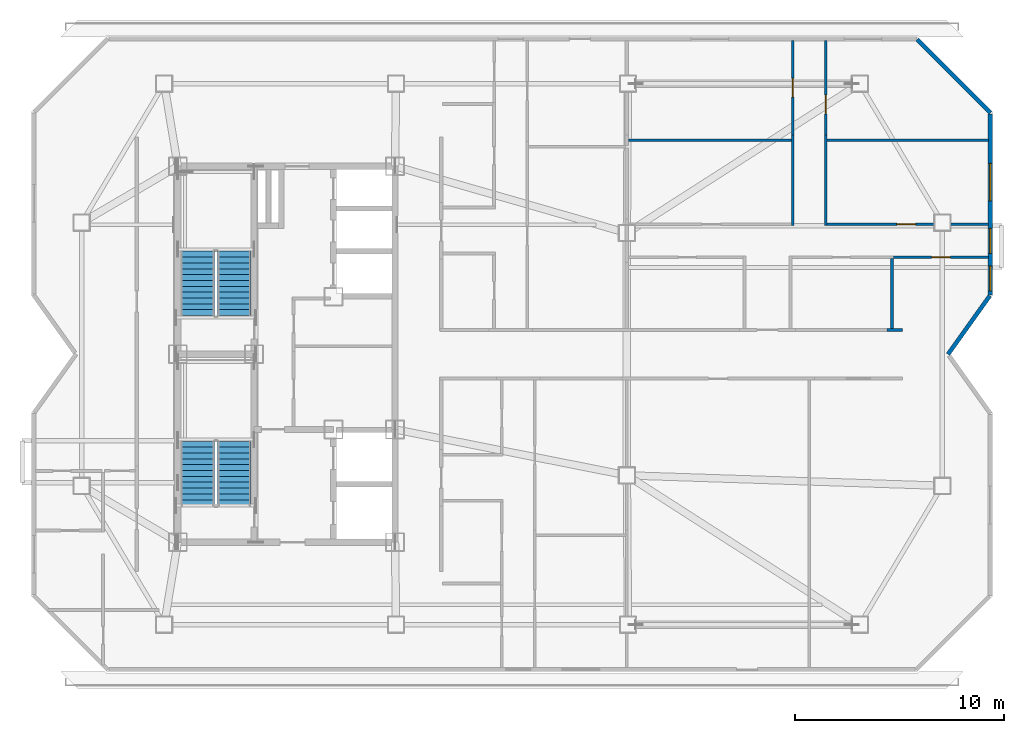
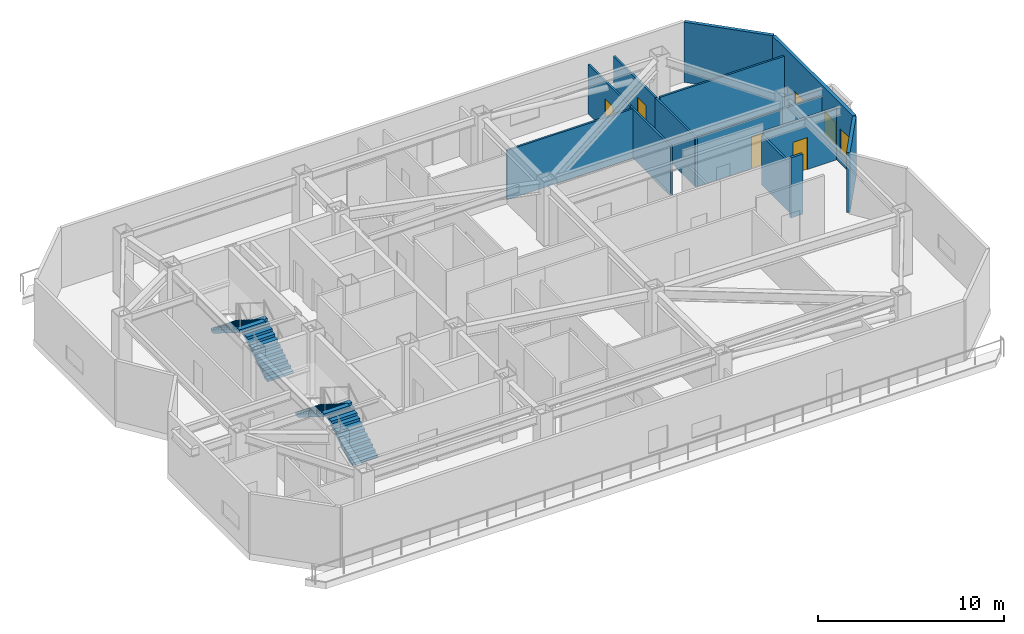
# One storey, part 7 of 11: 13 walls, 4 doors, 4 stair flights, 3 windows, 7 openings, 2 elements without a shape of their own.
"""IFC4 building model written with IfcOpenShell, lengths in metres."""

import ifcopenshell
import ifcopenshell.guid

model = None  # the IFC model being written
_history = None  # IfcOwnerHistory: only IFC2X3 demands one
_inside = {}  # id of a spatial element -> (the spatial element, [elements in it])
_under = {}  # id of a project, library or spatial element -> (it, [spatial elements below it])
_declared = {}  # id of a project -> (the project, [libraries it declares])
_typed = {}  # id of a type object -> (the type object, [elements of that type])
_made_of = {}  # id of a material, layer set ... -> (it, [elements and type objects made of it])


def new_model(schema):
    """Start an empty IFC model of exactly this schema.

    Asked for "IFC4X3", IfcOpenShell would pick the latest addendum, in which some entities
    have other attributes; the version numbers below select the first issue.
    IFC2X3 requires an IfcOwnerHistory on every rooted entity: one is made here for all.
    """
    global model, _history
    if schema == "IFC4X3":
        model = ifcopenshell.file(schema_version=(4, 3, 0, 0))
    else:
        model = ifcopenshell.file(schema=schema)
    _inside.clear()
    _under.clear()
    _declared.clear()
    _typed.clear()
    _made_of.clear()
    _history = None
    if model.schema == "IFC2X3":
        org = make("IfcOrganization", Name="unknown")
        user = make(
            "IfcPersonAndOrganization",
            ThePerson=make("IfcPerson", FamilyName="unknown"),
            TheOrganization=org,
        )
        app = make(
            "IfcApplication",
            ApplicationDeveloper=org,
            Version="unknown",
            ApplicationFullName="unknown",
            ApplicationIdentifier="unknown",
        )
        _history = make(
            "IfcOwnerHistory",
            OwningUser=user,
            OwningApplication=app,
            ChangeAction="ADDED",
            CreationDate=0,
        )
    return model


def make(cls, **values):
    """One entity of the class cls with the attributes given. An attribute that is None is left unset."""
    return model.create_entity(
        cls, **{name: value for name, value in values.items() if value is not None}
    )


def rooted(cls, **values):
    """An entity with a GlobalId (a new one), such as an element, a storey or a relation."""
    return make(cls, GlobalId=ifcopenshell.guid.new(), OwnerHistory=_history, **values)


def si_unit(unit_type, name, prefix=None):
    """IfcSIUnit, for example si_unit("LENGTHUNIT", "METRE", prefix="MILLI")."""
    return make("IfcSIUnit", UnitType=unit_type, Prefix=prefix, Name=name)


def assignment(units):
    """IfcUnitAssignment: the units of a project."""
    return None if units is None else make("IfcUnitAssignment", Units=units)


def point(xyz):
    """IfcCartesianPoint."""
    return None if xyz is None else make("IfcCartesianPoint", Coordinates=xyz)


def direction(xyz):
    """IfcDirection."""
    return None if xyz is None else make("IfcDirection", DirectionRatios=xyz)


def frame(location, z_axis=None, x_axis=None):
    """IfcAxis2Placement3D, a coordinate frame: its origin and axes. An axis left out is left unset."""
    return make(
        "IfcAxis2Placement3D",
        Location=point(location),
        Axis=direction(z_axis),
        RefDirection=direction(x_axis),
    )


def frame_2d(location, x_axis=None):
    """IfcAxis2Placement2D, a coordinate frame in the plane: its origin and x axis."""
    return make(
        "IfcAxis2Placement2D", Location=point(location), RefDirection=direction(x_axis)
    )


def origin():
    """The frame at (0, 0, 0) with its axes left unset."""
    return frame((0.0, 0.0, 0.0))


def place(relative_to, where):
    """IfcLocalPlacement: puts the frame where relative to a parent placement (None: the world)."""
    return make(
        "IfcLocalPlacement", PlacementRelTo=relative_to, RelativePlacement=where
    )


def context(
    kind, dimensions, precision=None, world=None, true_north=None, identifier=None
):
    """IfcGeometricRepresentationContext, for example the 3D "Model" context."""
    return make(
        "IfcGeometricRepresentationContext",
        ContextIdentifier=identifier,
        ContextType=kind,
        CoordinateSpaceDimension=dimensions,
        Precision=precision,
        WorldCoordinateSystem=world,
        TrueNorth=true_north,
    )


def subcontext(parent, identifier, kind, view, scale=None):
    """IfcGeometricRepresentationSubContext, for example "Body" below "Model"."""
    return make(
        "IfcGeometricRepresentationSubContext",
        ContextIdentifier=identifier,
        ContextType=kind,
        ParentContext=parent,
        TargetScale=scale,
        TargetView=view,
    )


def project(units=None, contexts=None):
    """IfcProject with its units and contexts."""
    return rooted(
        "IfcProject",
        Name="project",
        RepresentationContexts=contexts,
        UnitsInContext=assignment(units),
    )


def spatial(cls, under=None, at=None, **own):
    """A site, building, storey or space (cls), placed at a placement, below another one or the project."""
    s = rooted(cls, ObjectPlacement=at, **own)
    if under is not None:
        _under.setdefault(under.id(), (under, []))[1].append(s)
    return s


def polyline(points):
    """IfcPolyline through the points."""
    return make("IfcPolyline", Points=[point(p) for p in points])


def profile(cls, at=None, kind="AREA", **sizes):
    """A parametric profile (cls). Its sizes go by their IFC names, for example OverallWidth=200.0."""
    return make(cls, ProfileType=kind, Position=at, **sizes)


def rectangle(**sizes):
    """IfcRectangleProfileDef."""
    return profile("IfcRectangleProfileDef", **sizes)


def outline(outer, holes=None, kind="AREA"):
    """IfcArbitraryClosedProfileDef: a profile drawn as a closed curve; with holes, ...WithVoids."""
    if holes is None:
        return make("IfcArbitraryClosedProfileDef", ProfileType=kind, OuterCurve=outer)
    return make(
        "IfcArbitraryProfileDefWithVoids",
        ProfileType=kind,
        OuterCurve=outer,
        InnerCurves=holes,
    )


def extrude(swept, where, along, depth):
    """IfcExtrudedAreaSolid: the profile swept, set in the frame where, extruded along a direction by depth."""
    return make(
        "IfcExtrudedAreaSolid",
        SweptArea=swept,
        Position=where,
        ExtrudedDirection=direction(along),
        Depth=depth,
    )


def shape(context_of_items, identifier, shape_type, items):
    """IfcShapeRepresentation: the items that make up one representation, for example the "Body"."""
    return make(
        "IfcShapeRepresentation",
        ContextOfItems=context_of_items,
        RepresentationIdentifier=identifier,
        RepresentationType=shape_type,
        Items=items,
    )


def material(Name=None, Category=None):
    """IfcMaterial."""
    return make("IfcMaterial", Name=Name, Category=Category)


def layer(
    of_material, thickness, ventilated=None, Name=None, Category=None, Priority=None
):
    """IfcMaterialLayer: one layer of a wall or slab, of a material (None: an air gap)."""
    return make(
        "IfcMaterialLayer",
        Material=of_material,
        LayerThickness=thickness,
        IsVentilated=ventilated,
        Name=Name,
        Category=Category,
        Priority=Priority,
    )


def layer_set(layers, Name=None):
    """IfcMaterialLayerSet."""
    return make("IfcMaterialLayerSet", MaterialLayers=layers, LayerSetName=Name)


def made_of(thing, what):
    """Note that an element or type object is made of a material, layer set ...; save() writes the relation."""
    if what is not None:
        _made_of.setdefault(what.id(), (what, []))[1].append(thing)
    return thing


def type_object(cls, material=None, **own):
    """A type object (cls), such as IfcWallType, which elements share."""
    return made_of(rooted(cls, **own), material)


def element(
    cls,
    number,
    at=None,
    inside=None,
    cuts=None,
    type_object=None,
    material=None,
    context=None,
    identifier="Body",
    shape_type=None,
    held_by="IfcProductDefinitionShape",
    body=None,
    shapes=None,
    **own,
):
    """One element of the class cls, such as IfcWall. Its Tag is "e" and its number.

    at: its placement. inside: the storey or other place that contains it. cuts: it is an
    opening in that element (IfcRelVoidsElement). A single representation is given by context,
    identifier, shape_type and body (its items); several are given by shapes. held_by: the class
    of the entity that holds the representations. save() writes the other relations.
    """
    e = rooted(cls, Tag="e%d" % number, ObjectPlacement=at, **own)
    if body is not None:
        shapes = [shape(context, identifier, shape_type, body)]
    if shapes is not None:
        e.Representation = make(held_by, Representations=shapes)
    if inside is not None:
        _inside.setdefault(inside.id(), (inside, []))[1].append(e)
    if cuts is not None:
        rooted(
            "IfcRelVoidsElement", RelatingBuildingElement=cuts, RelatedOpeningElement=e
        )
    if type_object is not None:
        _typed.setdefault(type_object.id(), (type_object, []))[1].append(e)
    return made_of(e, material)


def fill(opening, filler):
    """IfcRelFillsElement: the door or window that sits in an opening."""
    return rooted(
        "IfcRelFillsElement",
        RelatingOpeningElement=opening,
        RelatedBuildingElement=filler,
    )


def aggregate(whole, parts):
    """IfcRelAggregates: a whole, such as a stair, and the parts it consists of."""
    return rooted("IfcRelAggregates", RelatingObject=whole, RelatedObjects=parts)


def save(model, path):
    """Write the relations noted so far, then the file.

    IfcRelAggregates (storeys below a building ...), IfcRelContainedInSpatialStructure (elements
    in a storey), IfcRelDefinesByType, IfcRelAssociatesMaterial and IfcRelDeclares: one each for
    every whole, place, type object, material and project.
    """
    for whole, parts in _under.values():
        aggregate(whole, parts)
    for where, things in _inside.values():
        rooted(
            "IfcRelContainedInSpatialStructure",
            RelatedElements=things,
            RelatingStructure=where,
        )
    for kind, things in _typed.values():
        rooted("IfcRelDefinesByType", RelatedObjects=things, RelatingType=kind)
    for what, things in _made_of.values():
        rooted("IfcRelAssociatesMaterial", RelatedObjects=things, RelatingMaterial=what)
    for by, libraries in _declared.values():
        rooted("IfcRelDeclares", RelatingContext=by, RelatedDefinitions=libraries)
    model.write(path)


model = new_model("IFC4")

# Units and contexts
model_context = context("Model", 3, precision=1e-05, world=origin(), true_north=direction((0.0, 1.0)))
body_context = subcontext(model_context, "Body", "Model", "MODEL_VIEW")
ifc_project = project(units=[si_unit("LENGTHUNIT", "METRE"), si_unit("AREAUNIT", "SQUARE_METRE"), si_unit("VOLUMEUNIT", "CUBIC_METRE"), si_unit("PLANEANGLEUNIT", "RADIAN"), si_unit("MASSUNIT", "GRAM", prefix="KILO")], contexts=[model_context])

# Site, building, storey
site_placement = place(None, origin())
site = spatial("IfcSite", under=ifc_project, at=site_placement, CompositionType="ELEMENT")
building_placement = place(site_placement, origin())
building = spatial("IfcBuilding", under=site, at=building_placement, Name="Khamvora Tower", CompositionType="ELEMENT")
storey_placement = place(building_placement, frame((0.0, 0.0, 269.449951171875)))
storey = spatial("IfcBuildingStorey", under=building, at=storey_placement, Name="L69", CompositionType="ELEMENT", Elevation=269.449951171875)

# Walls
ifc_material_1 = material(Name="Fire-Rated Drywall and Steel Stud", Category="steel")
ifc_layer_1 = layer(ifc_material_1, 0.14990234375)
ifc_layer_set_1 = layer_set([ifc_layer_1], Name="Fire-Rated Drywall and Steel Stud")
wall_type_1 = type_object("IfcWallType", Name="WAL-CORR-150", PredefinedType="STANDARD", material=ifc_layer_set_1)
wall_1_placement = place(storey_placement, frame((62.947021484375, 29.1650390625, 0.0), z_axis=(0.0, 0.0, 1.0), x_axis=(1.0, 0.0, 0.0)))
element("IfcWall", 1, at=wall_1_placement, inside=storey, type_object=wall_type_1, Name="L69 interior partition wall 021", PredefinedType="STANDARD", context=body_context, shape_type="SweptSolid", body=[
    extrude(rectangle(XDim=0.742919921875, YDim=0.14990234375, at=frame_2d((0.37158203125, 0.0))), origin(), (0.0, 0.0, 1.0), 3.949951171875),
])
ifc_material_2 = material(Name="Precast concrete C40/50", Category="concrete")
ifc_layer_2 = layer(ifc_material_2, 0.199951171875)
ifc_layer_set_2 = layer_set([ifc_layer_2], Name="Precast concrete C40/50")
wall_type_2 = type_object("IfcWallType", Name="WAL-EXT-200", PredefinedType="STANDARD", material=ifc_layer_set_2)
wall_2_placement = place(storey_placement, frame((64.402099609375, 43.056884765625, 0.0), z_axis=(0.0, 0.0, 1.0), x_axis=(0.707106781187, -0.707106781187, 0.0)))
element("IfcWall", 2, at=wall_2_placement, inside=storey, type_object=wall_type_2, Name="L69 exterior facade wall 08.1", PredefinedType="STANDARD", context=body_context, shape_type="SweptSolid", body=[
    extrude(rectangle(XDim=4.946533203125, YDim=0.199951171875, at=frame_2d((2.47314453125, 0.0))), origin(), (0.0, 0.0, 1.0), 3.949951171875),
])

# Wall, openings, windows
wall_3_placement = place(storey_placement, frame((67.89990234375, 39.4970703125, 0.0), z_axis=(0.0, 0.0, 1.0), x_axis=(0.0, -1.0, 0.0)))
wall_3 = element("IfcWall", 3, at=wall_3_placement, inside=storey, type_object=wall_type_2, Name="L69 exterior facade wall 09.1", PredefinedType="STANDARD", context=body_context, shape_type="SweptSolid", body=[
    extrude(rectangle(XDim=8.6650390625, YDim=0.199951171875, at=frame_2d((4.33251953125, 0.0))), origin(), (0.0, 0.0, 1.0), 3.949951171875),
])
opening_1_placement = place(wall_3_placement, frame((7.26904296875, 0.0, 0.780029296875)))
opening_1 = element("IfcOpeningElement", 4, at=opening_1_placement, cuts=wall_3, Name="Opening WN-03", PredefinedType="OPENING", context=body_context, shape_type="SweptSolid", body=[
    extrude(rectangle(XDim=1.199951171875, YDim=1.5, at=frame_2d((0.60009765625, 0.75))), frame((0.0, 0.10986328125, 0.0), z_axis=(0.0, -1.0, 0.0), x_axis=(1.0, 0.0, 0.0)), (0.0, 0.0, 1.0), 0.219970703125),
])
opening_2_placement = place(wall_3_placement, frame((5.467041015625, 0.0, 0.780029296875)))
opening_2 = element("IfcOpeningElement", 5, at=opening_2_placement, cuts=wall_3, Name="Opening WN-03", PredefinedType="OPENING", context=body_context, shape_type="SweptSolid", body=[
    extrude(rectangle(XDim=1.199951171875, YDim=1.5, at=frame_2d((0.60009765625, 0.75))), frame((0.0, 0.10986328125, 0.0), z_axis=(0.0, -1.0, 0.0), x_axis=(1.0, 0.0, 0.0)), (0.0, 0.0, 1.0), 0.219970703125),
])
opening_3_placement = place(wall_3_placement, frame((2.362060546875, 0.0, 0.85009765625)))
opening_3 = element("IfcOpeningElement", 6, at=opening_3_placement, cuts=wall_3, Name="Opening WN-09", PredefinedType="OPENING", context=body_context, shape_type="SweptSolid", body=[
    extrude(rectangle(XDim=1.800048828125, YDim=0.919921875, at=frame_2d((0.89990234375, 0.4599609375))), frame((0.0, 0.10986328125, 0.0), z_axis=(0.0, -1.0, 0.0), x_axis=(1.0, 0.0, 0.0)), (0.0, 0.0, 1.0), 0.219970703125),
])
ifc_material_3 = material(Name="Low-E Laminated Double Glazing", Category="glass")
window_type_1 = type_object("IfcWindowType", Name="WIN-CLR-1800x920", PartitioningType="SINGLE_PANEL", PredefinedType="WINDOW", material=ifc_material_3)
window_1_placement = place(opening_3_placement, origin())
window_1 = element("IfcWindow", 7, at=window_1_placement, inside=storey, type_object=window_type_1, Name="L69 vision window 09.1.03", OverallHeight=0.919921875, OverallWidth=1.800048828125, PartitioningType="SINGLE_PANEL", PredefinedType="WINDOW", context=body_context, shape_type="SweptSolid", body=[
    extrude(rectangle(XDim=1.800048828125, YDim=0.919921875, at=frame_2d((0.89990234375, 0.4599609375))), frame((0.0, 0.030029296875, 0.0), z_axis=(0.0, -1.0, 0.0), x_axis=(1.0, 0.0, 0.0)), (0.0, 0.0, 1.0), 0.06005859375),
])
fill(opening_3, window_1)
window_type_2 = type_object("IfcWindowType", Name="WIN-VIS-1200x1500", PartitioningType="SINGLE_PANEL", PredefinedType="WINDOW", material=ifc_material_3)
window_2_placement = place(opening_1_placement, origin())
window_2 = element("IfcWindow", 8, at=window_2_placement, inside=storey, type_object=window_type_2, Name="L69 vision window 09.1.01", OverallHeight=1.5, OverallWidth=1.199951171875, PartitioningType="SINGLE_PANEL", PredefinedType="WINDOW", context=body_context, shape_type="SweptSolid", body=[
    extrude(rectangle(XDim=1.199951171875, YDim=1.5, at=frame_2d((0.60009765625, 0.75))), frame((0.0, 0.030029296875, 0.0), z_axis=(0.0, -1.0, 0.0), x_axis=(1.0, 0.0, 0.0)), (0.0, 0.0, 1.0), 0.06005859375),
])
fill(opening_1, window_2)
window_3_placement = place(opening_2_placement, origin())
window_3 = element("IfcWindow", 9, at=window_3_placement, inside=storey, type_object=window_type_2, Name="L69 vision window 09.1.02", OverallHeight=1.5, OverallWidth=1.199951171875, PartitioningType="SINGLE_PANEL", PredefinedType="WINDOW", context=body_context, shape_type="SweptSolid", body=[
    extrude(rectangle(XDim=1.199951171875, YDim=1.5, at=frame_2d((0.60009765625, 0.75))), frame((0.0, 0.030029296875, 0.0), z_axis=(0.0, -1.0, 0.0), x_axis=(1.0, 0.0, 0.0)), (0.0, 0.0, 1.0), 0.06005859375),
])
fill(opening_2, window_3)

# Wall
wall_4_placement = place(storey_placement, frame((67.8720703125, 30.79296875, 0.0), z_axis=(0.0, 0.0, 1.0), x_axis=(-0.581265107027, -0.813714246743, 0.0)))
element("IfcWall", 10, at=wall_4_placement, inside=storey, type_object=wall_type_2, Name="L69 exterior facade wall 10.1", PredefinedType="STANDARD", context=body_context, shape_type="SweptSolid", body=[
    extrude(rectangle(XDim=3.432373046875, YDim=0.199951171875, at=frame_2d((1.71630859375, 0.0))), origin(), (0.0, 0.0, 1.0), 3.949951171875),
])

# Wall, opening, door
ifc_material_4 = material(Name="Gypsum Plasterboard Partition", Category="gypsum")
ifc_layer_3 = layer(ifc_material_4, 0.1201171875)
ifc_layer_set_3 = layer_set([ifc_layer_3], Name="Gypsum Plasterboard Partition")
wall_type_3 = type_object("IfcWallType", Name="WAL-PART-120", PredefinedType="PARTITIONING", material=ifc_layer_set_3)
wall_5_placement = place(storey_placement, frame((63.260986328125, 32.639892578125, 0.0), z_axis=(0.0, 0.0, 1.0), x_axis=(1.0, 0.0, 0.0)))
wall_5 = element("IfcWall", 11, at=wall_5_placement, inside=storey, type_object=wall_type_3, Name="L69 interior partition wall 057", PredefinedType="PARTITIONING", context=body_context, shape_type="SweptSolid", body=[
    extrude(rectangle(XDim=4.547119140625, YDim=0.1201171875, at=frame_2d((2.2734375, 0.0))), origin(), (0.0, 0.0, 1.0), 3.406982421875),
])
opening_4_placement = place(wall_5_placement, frame((1.822998046875, 0.0, 0.0)))
opening_4 = element("IfcOpeningElement", 12, at=opening_4_placement, cuts=wall_5, Name="Opening D-RM1", PredefinedType="OPENING", context=body_context, shape_type="SweptSolid", body=[
    extrude(rectangle(XDim=0.89990234375, YDim=2.10009765625, at=frame_2d((0.449951171875, 1.050048828125))), frame((0.0, 0.070068359375, 0.0), z_axis=(0.0, -1.0, 0.0), x_axis=(1.0, 0.0, 0.0)), (0.0, 0.0, 1.0), 0.14013671875),
])
ifc_material_5 = material(Name="Powder-Coated Steel and Hardwood Leaf", Category="steel")
door_type = type_object("IfcDoorType", Name="DOR-ROOM-900", OperationType="NOTDEFINED", PredefinedType="DOOR", material=ifc_material_5)
door_1_placement = place(opening_4_placement, origin())
door_1 = element("IfcDoor", 13, at=door_1_placement, inside=storey, type_object=door_type, Name="L69 interior door 69DW2-69DH", OperationType="SINGLE_SWING_LEFT", OverallHeight=2.10009765625, OverallWidth=0.89990234375, PredefinedType="DOOR", context=body_context, shape_type="SweptSolid", body=[
    extrude(rectangle(XDim=0.89990234375, YDim=2.10009765625, at=frame_2d((0.449951171875, 1.050048828125))), frame((0.0, 0.02490234375, 0.0), z_axis=(0.0, -1.0, 0.0), x_axis=(1.0, 0.0, 0.0)), (0.0, 0.0, 1.0), 0.050048828125),
])
fill(opening_4, door_1)

# Wall
wall_6_placement = place(storey_placement, frame((58.445068359375, 34.155029296875, 0.0), z_axis=(0.0, 0.0, 1.0), x_axis=(0.0, 1.0, 0.0)))
element("IfcWall", 14, at=wall_6_placement, inside=storey, type_object=wall_type_3, Name="L69 interior partition wall 064", PredefinedType="PARTITIONING", context=body_context, shape_type="SweptSolid", body=[
    extrude(rectangle(XDim=4.344970703125, YDim=0.1201171875, at=frame_2d((2.17236328125, 0.0))), origin(), (0.0, 0.0, 1.0), 3.237060546875),
])

# Wall, opening, door
wall_7_placement = place(storey_placement, frame((58.445068359375, 38.5, 0.0), z_axis=(0.0, 0.0, 1.0), x_axis=(0.0, 1.0, 0.0)))
wall_7 = element("IfcWall", 15, at=wall_7_placement, inside=storey, type_object=wall_type_3, Name="L69 interior partition wall 065", PredefinedType="PARTITIONING", context=body_context, shape_type="SweptSolid", body=[
    extrude(rectangle(XDim=4.508056640625, YDim=0.1201171875, at=frame_2d((2.25390625, 0.0))), origin(), (0.0, 0.0, 1.0), 3.2451171875),
])
opening_5_placement = place(wall_7_placement, frame((1.803955078125, 0.0, 0.0)))
opening_5 = element("IfcOpeningElement", 16, at=opening_5_placement, cuts=wall_7, Name="Opening D-RM1", PredefinedType="OPENING", context=body_context, shape_type="SweptSolid", body=[
    extrude(rectangle(XDim=0.89990234375, YDim=2.10009765625, at=frame_2d((0.449951171875, 1.050048828125))), frame((0.0, 0.070068359375, 0.0), z_axis=(0.0, -1.0, 0.0), x_axis=(1.0, 0.0, 0.0)), (0.0, 0.0, 1.0), 0.14013671875),
])
door_2_placement = place(opening_5_placement, origin())
door_2 = element("IfcDoor", 17, at=door_2_placement, inside=storey, type_object=door_type, Name="L69 interior door 69DH-69DR2", OperationType="SINGLE_SWING_LEFT", OverallHeight=2.10009765625, OverallWidth=0.89990234375, PredefinedType="DOOR", context=body_context, shape_type="SweptSolid", body=[
    extrude(rectangle(XDim=0.89990234375, YDim=2.10009765625, at=frame_2d((0.449951171875, 1.050048828125))), frame((0.0, 0.02490234375, 0.0), z_axis=(0.0, -1.0, 0.0), x_axis=(1.0, 0.0, 0.0)), (0.0, 0.0, 1.0), 0.050048828125),
])
fill(opening_5, door_2)

# Wall
wall_8_placement = place(storey_placement, frame((60.014892578125, 38.5, 0.0), z_axis=(0.0, 0.0, 1.0), x_axis=(0.0, -1.0, 0.0)))
element("IfcWall", 18, at=wall_8_placement, inside=storey, type_object=wall_type_3, Name="L69 interior partition wall 066", PredefinedType="PARTITIONING", context=body_context, shape_type="SweptSolid", body=[
    extrude(rectangle(XDim=4.344970703125, YDim=0.1201171875, at=frame_2d((2.17236328125, 0.0))), origin(), (0.0, 0.0, 1.0), 3.237060546875),
])

# Wall, opening, door
wall_9_placement = place(storey_placement, frame((59.949951171875, 34.219970703125, 0.0), z_axis=(0.0, 0.0, 1.0), x_axis=(1.0, 0.0, 0.0)))
wall_9 = element("IfcWall", 19, at=wall_9_placement, inside=storey, type_object=wall_type_3, Name="L69 interior partition wall 067", PredefinedType="PARTITIONING", context=body_context, shape_type="SweptSolid", body=[
    extrude(rectangle(XDim=7.858154296875, YDim=0.1201171875, at=frame_2d((3.92919921875, 0.0))), origin(), (0.0, 0.0, 1.0), 3.237060546875),
])
opening_6_placement = place(wall_9_placement, frame((3.47900390625, 0.0, 0.0)))
opening_6 = element("IfcOpeningElement", 20, at=opening_6_placement, cuts=wall_9, Name="Opening D-RM1", PredefinedType="OPENING", context=body_context, shape_type="SweptSolid", body=[
    extrude(rectangle(XDim=0.89990234375, YDim=2.10009765625, at=frame_2d((0.449951171875, 1.050048828125))), frame((0.0, 0.070068359375, 0.0), z_axis=(0.0, -1.0, 0.0), x_axis=(1.0, 0.0, 0.0)), (0.0, 0.0, 1.0), 0.14013671875),
])
door_3_placement = place(opening_6_placement, origin())
door_3 = element("IfcDoor", 21, at=door_3_placement, inside=storey, type_object=door_type, Name="L69 interior door 69DH-69DR3", OperationType="SINGLE_SWING_LEFT", OverallHeight=2.10009765625, OverallWidth=0.89990234375, PredefinedType="DOOR", context=body_context, shape_type="SweptSolid", body=[
    extrude(rectangle(XDim=0.89990234375, YDim=2.10009765625, at=frame_2d((0.449951171875, 1.050048828125))), frame((0.0, 0.02490234375, 0.0), z_axis=(0.0, -1.0, 0.0), x_axis=(1.0, 0.0, 0.0)), (0.0, 0.0, 1.0), 0.050048828125),
])
fill(opening_6, door_3)

wall_10_placement = place(storey_placement, frame((60.014892578125, 43.008056640625, 0.0), z_axis=(0.0, 0.0, 1.0), x_axis=(0.0, -1.0, 0.0)))
wall_10 = element("IfcWall", 22, at=wall_10_placement, inside=storey, type_object=wall_type_3, Name="L69 interior partition wall 068", PredefinedType="PARTITIONING", context=body_context, shape_type="SweptSolid", body=[
    extrude(rectangle(XDim=4.508056640625, YDim=0.1201171875, at=frame_2d((2.25390625, 0.0))), origin(), (0.0, 0.0, 1.0), 3.2451171875),
])
opening_7_placement = place(wall_10_placement, frame((2.60595703125, 0.0, 0.0)))
opening_7 = element("IfcOpeningElement", 23, at=opening_7_placement, cuts=wall_10, Name="Opening D-RM1", PredefinedType="OPENING", context=body_context, shape_type="SweptSolid", body=[
    extrude(rectangle(XDim=0.89990234375, YDim=2.10009765625, at=frame_2d((0.449951171875, 1.050048828125))), frame((0.0, 0.070068359375, 0.0), z_axis=(0.0, -1.0, 0.0), x_axis=(1.0, 0.0, 0.0)), (0.0, 0.0, 1.0), 0.14013671875),
])
door_4_placement = place(opening_7_placement, origin())
door_4 = element("IfcDoor", 24, at=door_4_placement, inside=storey, type_object=door_type, Name="L69 interior door 69DH-69DR4", OperationType="SINGLE_SWING_LEFT", OverallHeight=2.10009765625, OverallWidth=0.89990234375, PredefinedType="DOOR", context=body_context, shape_type="SweptSolid", body=[
    extrude(rectangle(XDim=0.89990234375, YDim=2.10009765625, at=frame_2d((0.449951171875, 1.050048828125))), frame((0.0, 0.02490234375, 0.0), z_axis=(0.0, -1.0, 0.0), x_axis=(1.0, 0.0, 0.0)), (0.0, 0.0, 1.0), 0.050048828125),
])
fill(opening_7, door_4)

# Walls
wall_11_placement = place(storey_placement, frame((50.576904296875, 38.2509765625, 0.0), z_axis=(0.0, 0.0, 1.0), x_axis=(1.0, 0.0, 0.0)))
element("IfcWall", 25, at=wall_11_placement, inside=storey, type_object=wall_type_3, Name="L69 interior partition wall 069", PredefinedType="PARTITIONING", context=body_context, shape_type="SweptSolid", body=[
    extrude(rectangle(XDim=7.814208984375, YDim=0.1201171875, at=frame_2d((3.9072265625, 0.0))), origin(), (0.0, 0.0, 1.0), 3.2451171875),
])
wall_12_placement = place(storey_placement, frame((60.069091796875, 38.2509765625, 0.0), z_axis=(0.0, 0.0, 1.0), x_axis=(1.0, 0.0, 0.0)))
element("IfcWall", 26, at=wall_12_placement, inside=storey, type_object=wall_type_3, Name="L69 interior partition wall 070", PredefinedType="PARTITIONING", context=body_context, shape_type="SweptSolid", body=[
    extrude(rectangle(XDim=7.739013671875, YDim=0.1201171875, at=frame_2d((3.86962890625, 0.0))), origin(), (0.0, 0.0, 1.0), 3.406982421875),
])
ifc_material_6 = material(Name="Moisture-Resistant Plasterboard Partition", Category="gypsum")
ifc_layer_4 = layer(ifc_material_6, 0.135009765625)
ifc_layer_set_4 = layer_set([ifc_layer_4], Name="Moisture-Resistant Plasterboard Partition")
wall_type_4 = type_object("IfcWallType", Name="WAL-WET-135", PredefinedType="PARTITIONING", material=ifc_layer_set_4)
wall_13_placement = place(storey_placement, frame((63.196044921875, 29.22998046875, 0.0), z_axis=(0.0, 0.0, 1.0), x_axis=(0.0, 1.0, 0.0)))
element("IfcWall", 27, at=wall_13_placement, inside=storey, type_object=wall_type_4, Name="L69 interior partition wall 058", PredefinedType="PARTITIONING", context=body_context, shape_type="SweptSolid", body=[
    extrude(rectangle(XDim=3.344970703125, YDim=0.135009765625, at=frame_2d((1.67236328125, 0.0))), origin(), (0.0, 0.0, 1.0), 3.237060546875),
])

# Stair, stair flights
ifc_material_7 = material(Name="Concrete C40/50", Category="concrete")
stair_type_1 = type_object("IfcStairType", Name="STR-ST-01", PredefinedType="HALF_TURN_STAIR", material=ifc_material_7)
stair_1_placement = place(storey_placement, origin())
stair_1 = element("IfcStair", 28, at=stair_1_placement, inside=storey, type_object=stair_type_1, Name="L69 South Tower Exit Stair ST-01", PredefinedType="HALF_TURN_STAIR")
stair_flight_type_1 = type_object("IfcStairFlightType", Name="STF-ST-01", PredefinedType="STRAIGHT", material=ifc_material_7)
stair_flight_1_placement = place(storey_placement, frame((31.699951171875, 20.75, 0.0), z_axis=(0.0, 0.0, 1.0), x_axis=(0.0, 1.0, 0.0)))
stair_flight_1 = element("IfcStairFlight", 29, at=stair_flight_1_placement, type_object=stair_flight_type_1, Name="ST-01 flight 1", NumberOfRisers=12, NumberOfTreads=11, PredefinedType="STRAIGHT", RiserHeight=0.175, TreadLength=0.28, context=body_context, shape_type="SweptSolid", body=[
    extrude(outline(polyline([(0.0, 0.0), (0.0, 0.175048828125), (0.280029296875, 0.175048828125), (0.280029296875, 0.35009765625), (0.56005859375, 0.35009765625), (0.56005859375, 0.52490234375), (0.840087890625, 0.52490234375), (0.840087890625, 0.699951171875), (1.1201171875, 0.699951171875), (1.1201171875, 0.875), (1.39990234375, 0.875), (1.39990234375, 1.050048828125), (1.679931640625, 1.050048828125), (1.679931640625, 1.22509765625), (1.9599609375, 1.22509765625), (1.9599609375, 1.39990234375), (2.239990234375, 1.39990234375), (2.239990234375, 1.574951171875), (2.52001953125, 1.574951171875), (2.52001953125, 1.75), (2.800048828125, 1.75), (2.800048828125, 1.925048828125), (3.080078125, 1.925048828125), (3.080078125, 2.10009765625), (3.080078125, 1.748291015625), (0.28271484375, 0.0), (0.0, 0.0)])), frame((0.0, 0.800048828125, 0.0), z_axis=(0.0, -1.0, 0.0), x_axis=(1.0, 0.0, 0.0)), (0.0, 0.0, 1.0), 1.60009765625),
])
stair_flight_2_placement = place(storey_placement, frame((29.949951171875, 23.830078125, 2.10009765625), z_axis=(0.0, 0.0, 1.0), x_axis=(0.0, -1.0, 0.0)))
stair_flight_2 = element("IfcStairFlight", 30, at=stair_flight_2_placement, type_object=stair_flight_type_1, Name="ST-01 flight 2", NumberOfRisers=12, NumberOfTreads=11, PredefinedType="STRAIGHT", RiserHeight=0.175, TreadLength=0.28, context=body_context, shape_type="SweptSolid", body=[
    extrude(outline(polyline([(0.0, 0.0), (0.0, 0.175048828125), (0.280029296875, 0.175048828125), (0.280029296875, 0.35009765625), (0.56005859375, 0.35009765625), (0.56005859375, 0.52490234375), (0.840087890625, 0.52490234375), (0.840087890625, 0.699951171875), (1.1201171875, 0.699951171875), (1.1201171875, 0.875), (1.39990234375, 0.875), (1.39990234375, 1.050048828125), (1.679931640625, 1.050048828125), (1.679931640625, 1.22509765625), (1.9599609375, 1.22509765625), (1.9599609375, 1.39990234375), (2.239990234375, 1.39990234375), (2.239990234375, 1.574951171875), (2.52001953125, 1.574951171875), (2.52001953125, 1.75), (2.800048828125, 1.75), (2.800048828125, 1.925048828125), (3.080078125, 1.925048828125), (3.080078125, 2.10009765625), (3.080078125, 1.748291015625), (0.28271484375, 0.0), (0.0, 0.0)])), frame((0.0, 0.800048828125, 0.0), z_axis=(0.0, -1.0, 0.0), x_axis=(1.0, 0.0, 0.0)), (0.0, 0.0, 1.0), 1.60009765625),
])
aggregate(stair_1, [stair_flight_1, stair_flight_2])

stair_type_2 = type_object("IfcStairType", Name="STR-ST-02", PredefinedType="HALF_TURN_STAIR", material=ifc_material_7)
stair_2_placement = place(storey_placement, origin())
stair_2 = element("IfcStair", 31, at=stair_2_placement, inside=storey, type_object=stair_type_2, Name="L69 North Tower Exit Stair ST-02", PredefinedType="HALF_TURN_STAIR")
stair_flight_type_2 = type_object("IfcStairFlightType", Name="STF-ST-02", PredefinedType="STRAIGHT", material=ifc_material_7)
stair_flight_3_placement = place(storey_placement, frame((31.699951171875, 29.85009765625, 0.0), z_axis=(0.0, 0.0, 1.0), x_axis=(0.0, 1.0, 0.0)))
stair_flight_3 = element("IfcStairFlight", 32, at=stair_flight_3_placement, type_object=stair_flight_type_2, Name="ST-02 flight 1", NumberOfRisers=12, NumberOfTreads=11, PredefinedType="STRAIGHT", RiserHeight=0.175, TreadLength=0.28, context=body_context, shape_type="SweptSolid", body=[
    extrude(outline(polyline([(0.0, 0.0), (0.0, 0.175048828125), (0.280029296875, 0.175048828125), (0.280029296875, 0.35009765625), (0.56005859375, 0.35009765625), (0.56005859375, 0.52490234375), (0.840087890625, 0.52490234375), (0.840087890625, 0.699951171875), (1.1201171875, 0.699951171875), (1.1201171875, 0.875), (1.39990234375, 0.875), (1.39990234375, 1.050048828125), (1.679931640625, 1.050048828125), (1.679931640625, 1.22509765625), (1.9599609375, 1.22509765625), (1.9599609375, 1.39990234375), (2.239990234375, 1.39990234375), (2.239990234375, 1.574951171875), (2.52001953125, 1.574951171875), (2.52001953125, 1.75), (2.800048828125, 1.75), (2.800048828125, 1.925048828125), (3.080078125, 1.925048828125), (3.080078125, 2.10009765625), (3.080078125, 1.748291015625), (0.28271484375, 0.0), (0.0, 0.0)])), frame((0.0, 0.800048828125, 0.0), z_axis=(0.0, -1.0, 0.0), x_axis=(1.0, 0.0, 0.0)), (0.0, 0.0, 1.0), 1.60009765625),
])
stair_flight_4_placement = place(storey_placement, frame((29.949951171875, 32.929931640625, 2.10009765625), z_axis=(0.0, 0.0, 1.0), x_axis=(0.0, -1.0, 0.0)))
stair_flight_4 = element("IfcStairFlight", 33, at=stair_flight_4_placement, type_object=stair_flight_type_2, Name="ST-02 flight 2", NumberOfRisers=12, NumberOfTreads=11, PredefinedType="STRAIGHT", RiserHeight=0.175, TreadLength=0.28, context=body_context, shape_type="SweptSolid", body=[
    extrude(outline(polyline([(0.0, 0.0), (0.0, 0.175048828125), (0.280029296875, 0.175048828125), (0.280029296875, 0.35009765625), (0.56005859375, 0.35009765625), (0.56005859375, 0.52490234375), (0.840087890625, 0.52490234375), (0.840087890625, 0.699951171875), (1.1201171875, 0.699951171875), (1.1201171875, 0.875), (1.39990234375, 0.875), (1.39990234375, 1.050048828125), (1.679931640625, 1.050048828125), (1.679931640625, 1.22509765625), (1.9599609375, 1.22509765625), (1.9599609375, 1.39990234375), (2.239990234375, 1.39990234375), (2.239990234375, 1.574951171875), (2.52001953125, 1.574951171875), (2.52001953125, 1.75), (2.800048828125, 1.75), (2.800048828125, 1.925048828125), (3.080078125, 1.925048828125), (3.080078125, 2.10009765625), (3.080078125, 1.748291015625), (0.28271484375, 0.0), (0.0, 0.0)])), frame((0.0, 0.800048828125, 0.0), z_axis=(0.0, -1.0, 0.0), x_axis=(1.0, 0.0, 0.0)), (0.0, 0.0, 1.0), 1.60009765625),
])
aggregate(stair_2, [stair_flight_3, stair_flight_4])

save(model, "model.ifc")
